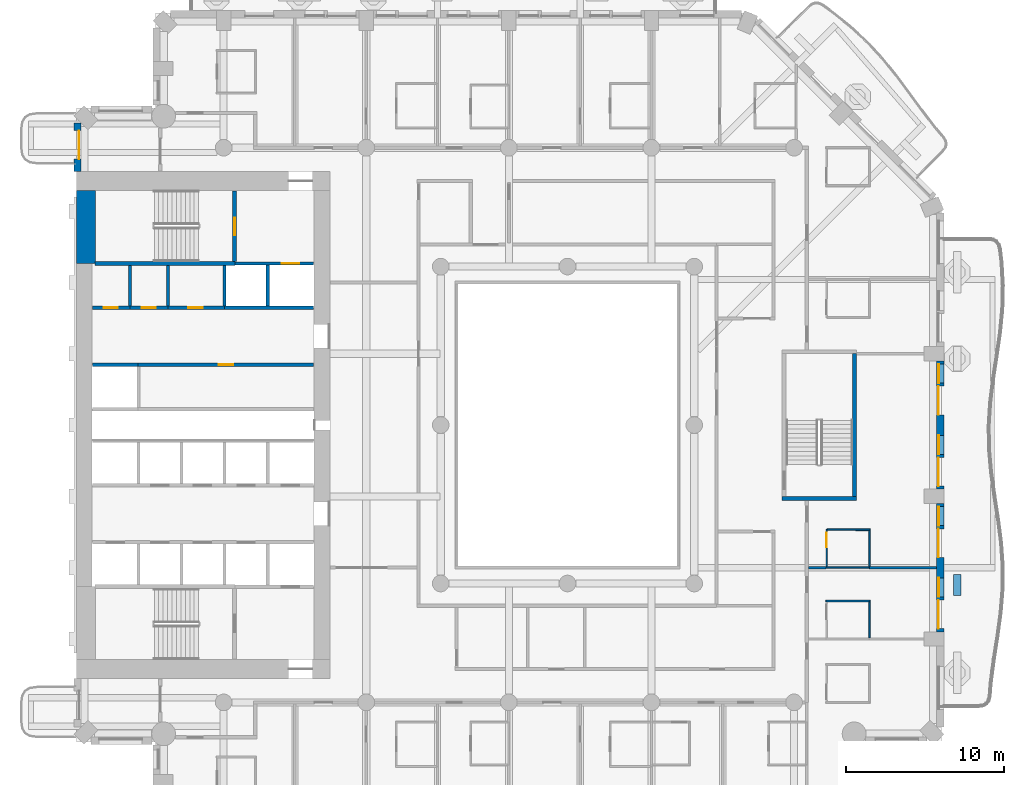
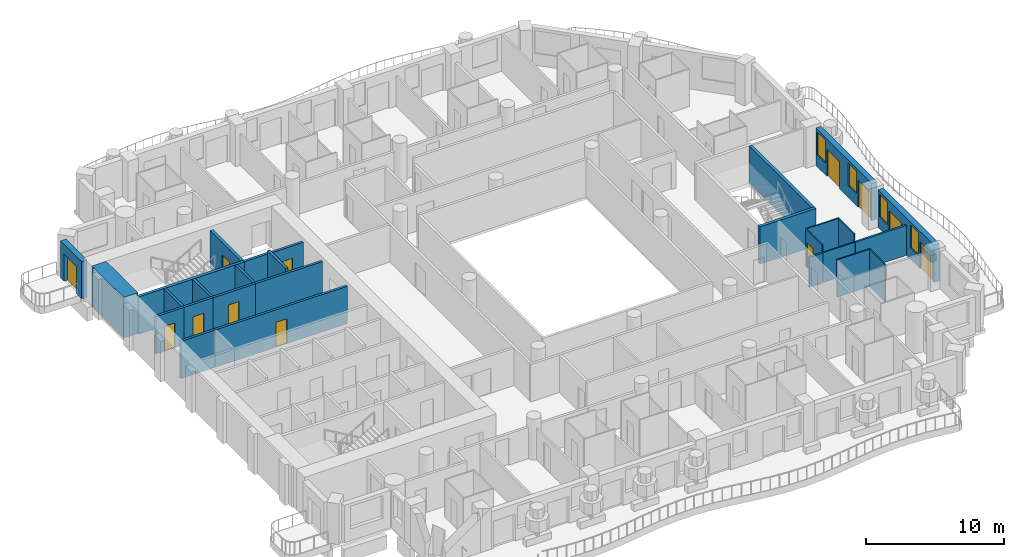
# One storey, part 7 of 20: 28 walls, 12 doors, 4 windows, 16 openings.
"""IFC4 building model written with IfcOpenShell, lengths in metres."""

from ifc_helpers import new_model, si_unit, direction, frame, frame_2d, origin, place, context, subcontext, project, spatial, rectangle, extrude, material, layer, layer_set, type_object, element, fill, save


model = new_model("IFC4")

# Units and contexts
model_context = context("Model", 3, precision=1e-05, world=origin(), true_north=direction((0.0, 1.0)))
body_context = subcontext(model_context, "Body", "Model", "MODEL_VIEW")
ifc_project = project(units=[si_unit("LENGTHUNIT", "METRE"), si_unit("AREAUNIT", "SQUARE_METRE"), si_unit("VOLUMEUNIT", "CUBIC_METRE"), si_unit("PLANEANGLEUNIT", "RADIAN"), si_unit("MASSUNIT", "GRAM", prefix="KILO")], contexts=[model_context])

# Site, building, storey
site_placement = place(None, origin())
site = spatial("IfcSite", under=ifc_project, at=site_placement, CompositionType="ELEMENT")
building_placement = place(site_placement, origin())
building = spatial("IfcBuilding", under=site, at=building_placement, Name="Cypress Arch Tower", CompositionType="ELEMENT")
storey_placement = place(building_placement, frame((0.0, 0.0, 109.5)))
storey = spatial("IfcBuildingStorey", under=building, at=storey_placement, Name="L22", CompositionType="ELEMENT", Elevation=109.5)

# Wall
ifc_material_1 = material(Name="Concrete C40/50, waterproofed", Category="concrete")
ifc_layer_1 = layer(ifc_material_1, 0.449951171875)
ifc_layer_set_1 = layer_set([ifc_layer_1], Name="Balcony planter wall PW450")
wall_type_1 = type_object("IfcWallType", Name="Balcony planter wall PW450", PredefinedType="SOLIDWALL", material=ifc_layer_set_1)
wall_1_placement = place(storey_placement, frame((25.60009765625, -10.75, 0.0), z_axis=(0.0, 0.0, 1.0), x_axis=(0.0, 1.0, 0.0)))
element("IfcWall", 1, at=wall_1_placement, inside=storey, type_object=wall_type_1, Name="Balcony planter wall L22-A06.2", PredefinedType="SOLIDWALL", context=body_context, shape_type="SweptSolid", body=[
    extrude(rectangle(XDim=1.32861328125, YDim=0.449951171875, at=frame_2d((0.664306640625, 0.0))), origin(), (0.0, 0.0, 1.0), 0.60009765625),
])

# Wall, opening, door
ifc_material_2 = material(Name="Brick (red buff blend)", Category="masonry")
ifc_layer_2 = layer(ifc_material_2, 0.449951171875)
ifc_layer_set_2 = layer_set([ifc_layer_2], Name="Brick pier and spandrel wall BW450")
wall_type_2 = type_object("IfcWallType", Name="Brick pier and spandrel wall BW450", PredefinedType="SOLIDWALL", material=ifc_layer_set_2)
wall_2_placement = place(storey_placement, frame((-29.925048828125, 19.063720703125, 0.0), z_axis=(0.0, 0.0, 1.0), x_axis=(0.0, -1.0, 0.0)))
wall_2 = element("IfcWall", 2, at=wall_2_placement, inside=storey, type_object=wall_type_2, Name="Brick wall L22 A00.0", PredefinedType="SOLIDWALL", context=body_context, shape_type="SweptSolid", body=[
    extrude(rectangle(XDim=3.063720703125, YDim=0.449951171875, at=frame_2d((1.53173828125, 0.0))), origin(), (0.0, 0.0, 1.0), 3.300048828125),
])
opening_1_placement = place(wall_2_placement, frame((0.481689453125, 0.0, 0.0)))
opening_1 = element("IfcOpeningElement", 3, at=opening_1_placement, cuts=wall_2, Name="Opening D-L22-A00.0.1", PredefinedType="OPENING", context=body_context, shape_type="SweptSolid", body=[
    extrude(rectangle(XDim=1.800048828125, YDim=2.39990234375, at=frame_2d((0.89990234375, 1.199951171875))), frame((0.0, 0.23486328125, 0.0), z_axis=(0.0, -1.0, 0.0), x_axis=(1.0, 0.0, 0.0)), (0.0, 0.0, 1.0), 0.469970703125),
])
ifc_material_3 = material(Name="Anodised aluminium, bronze finish, laminated low-emissivity double glazing, large-missile impact rated", Category="aluminium")
door_type_1 = type_object("IfcDoorType", Name="Balcony sliding door 1800x2400", OperationType="SLIDING_TO_LEFT", PredefinedType="DOOR", material=ifc_material_3)
door_1_placement = place(opening_1_placement, origin())
door_1 = element("IfcDoor", 4, at=door_1_placement, inside=storey, type_object=door_type_1, Name="Balcony door L22 A00.0.1", OperationType="SLIDING_TO_LEFT", OverallHeight=2.39990234375, OverallWidth=1.800048828125, PredefinedType="DOOR", context=body_context, shape_type="SweptSolid", body=[
    extrude(rectangle(XDim=1.800048828125, YDim=2.39990234375, at=frame_2d((0.89990234375, 1.199951171875))), frame((0.0, 0.1298828125, 0.0), z_axis=(0.0, -1.0, 0.0), x_axis=(1.0, 0.0, 0.0)), (0.0, 0.0, 1.0), 0.050048828125),
])
fill(opening_1, door_1)

# Wall, openings, doors, windows
wall_3_placement = place(storey_placement, frame((24.52490234375, -13.050048828125, 0.0), z_axis=(0.0, 0.0, 1.0), x_axis=(0.0, 1.0, 0.0)))
wall_3 = element("IfcWall", 5, at=wall_3_placement, inside=storey, type_object=wall_type_2, Name="Brick wall L22 A06.1", PredefinedType="SOLIDWALL", context=body_context, shape_type="SweptSolid", body=[
    extrude(rectangle(XDim=8.10009765625, YDim=0.449951171875, at=frame_2d((4.050048828125, 0.0))), origin(), (0.0, 0.0, 1.0), 3.300048828125),
])
opening_2_placement = place(wall_3_placement, frame((0.199951171875, 0.0, 0.0)))
opening_2 = element("IfcOpeningElement", 6, at=opening_2_placement, cuts=wall_3, Name="Opening D-L22-A06.1.1", PredefinedType="OPENING", context=body_context, shape_type="SweptSolid", body=[
    extrude(rectangle(XDim=1.800048828125, YDim=2.39990234375, at=frame_2d((0.89990234375, 1.199951171875))), frame((0.0, 0.23486328125, 0.0), z_axis=(0.0, -1.0, 0.0), x_axis=(1.0, 0.0, 0.0)), (0.0, 0.0, 1.0), 0.469970703125),
])
opening_3_placement = place(wall_3_placement, frame((2.199951171875, 0.0, 1.050048828125)))
opening_3 = element("IfcOpeningElement", 7, at=opening_3_placement, cuts=wall_3, Name="Opening W120HD", PredefinedType="OPENING", context=body_context, shape_type="SweptSolid", body=[
    extrude(rectangle(XDim=1.199951171875, YDim=2.0, at=frame_2d((0.60009765625, 1.0))), frame((0.0, 0.23486328125, 0.0), z_axis=(0.0, -1.0, 0.0), x_axis=(1.0, 0.0, 0.0)), (0.0, 0.0, 1.0), 0.469970703125),
])
opening_4_placement = place(wall_3_placement, frame((4.699951171875, 0.0, 0.0)))
opening_4 = element("IfcOpeningElement", 8, at=opening_4_placement, cuts=wall_3, Name="Opening D-L22-A06.1.2", PredefinedType="OPENING", context=body_context, shape_type="SweptSolid", body=[
    extrude(rectangle(XDim=1.800048828125, YDim=2.39990234375, at=frame_2d((0.89990234375, 1.199951171875))), frame((0.0, 0.23486328125, 0.0), z_axis=(0.0, -1.0, 0.0), x_axis=(1.0, 0.0, 0.0)), (0.0, 0.0, 1.0), 0.469970703125),
])
opening_5_placement = place(wall_3_placement, frame((6.699951171875, 0.0, 1.050048828125)))
opening_5 = element("IfcOpeningElement", 9, at=opening_5_placement, cuts=wall_3, Name="Opening W120HD", PredefinedType="OPENING", context=body_context, shape_type="SweptSolid", body=[
    extrude(rectangle(XDim=1.199951171875, YDim=2.0, at=frame_2d((0.60009765625, 1.0))), frame((0.0, 0.23486328125, 0.0), z_axis=(0.0, -1.0, 0.0), x_axis=(1.0, 0.0, 0.0)), (0.0, 0.0, 1.0), 0.469970703125),
])
door_2_placement = place(opening_2_placement, origin())
door_2 = element("IfcDoor", 10, at=door_2_placement, inside=storey, type_object=door_type_1, Name="Balcony door L22 A06.1.1", OperationType="SLIDING_TO_LEFT", OverallHeight=2.39990234375, OverallWidth=1.800048828125, PredefinedType="DOOR", context=body_context, shape_type="SweptSolid", body=[
    extrude(rectangle(XDim=1.800048828125, YDim=2.39990234375, at=frame_2d((0.89990234375, 1.199951171875))), frame((0.0, 0.1298828125, 0.0), z_axis=(0.0, -1.0, 0.0), x_axis=(1.0, 0.0, 0.0)), (0.0, 0.0, 1.0), 0.050048828125),
])
fill(opening_2, door_2)
door_3_placement = place(opening_4_placement, origin())
door_3 = element("IfcDoor", 11, at=door_3_placement, inside=storey, type_object=door_type_1, Name="Balcony door L22 A06.1.2", OperationType="SLIDING_TO_LEFT", OverallHeight=2.39990234375, OverallWidth=1.800048828125, PredefinedType="DOOR", context=body_context, shape_type="SweptSolid", body=[
    extrude(rectangle(XDim=1.800048828125, YDim=2.39990234375, at=frame_2d((0.89990234375, 1.199951171875))), frame((0.0, 0.1298828125, 0.0), z_axis=(0.0, -1.0, 0.0), x_axis=(1.0, 0.0, 0.0)), (0.0, 0.0, 1.0), 0.050048828125),
])
fill(opening_4, door_3)
ifc_material_4 = material(Name="Anodised aluminium, bronze finish, laminated low-emissivity double glazing, large-missile impact rated", Category="aluminium")
window_type = type_object("IfcWindowType", Name="Window Hotel 1200x2000 debris-rated", PartitioningType="SINGLE_PANEL", PredefinedType="WINDOW", material=ifc_material_4)
window_1_placement = place(opening_3_placement, origin())
window_1 = element("IfcWindow", 12, at=window_1_placement, inside=storey, type_object=window_type, Name="Window L22 A06.1.1", OverallHeight=2.0, OverallWidth=1.199951171875, PartitioningType="SINGLE_PANEL", PredefinedType="WINDOW", context=body_context, shape_type="SweptSolid", body=[
    extrude(rectangle(XDim=1.199951171875, YDim=2.0, at=frame_2d((0.60009765625, 1.0))), frame((0.0, 0.135009765625, 0.0), z_axis=(0.0, -1.0, 0.0), x_axis=(1.0, 0.0, 0.0)), (0.0, 0.0, 1.0), 0.06005859375),
])
fill(opening_3, window_1)
window_2_placement = place(opening_5_placement, origin())
window_2 = element("IfcWindow", 13, at=window_2_placement, inside=storey, type_object=window_type, Name="Window L22 A06.1.2", OverallHeight=2.0, OverallWidth=1.199951171875, PartitioningType="SINGLE_PANEL", PredefinedType="WINDOW", context=body_context, shape_type="SweptSolid", body=[
    extrude(rectangle(XDim=1.199951171875, YDim=2.0, at=frame_2d((0.60009765625, 1.0))), frame((0.0, 0.135009765625, 0.0), z_axis=(0.0, -1.0, 0.0), x_axis=(1.0, 0.0, 0.0)), (0.0, 0.0, 1.0), 0.06005859375),
])
fill(opening_5, window_2)

wall_4_placement = place(storey_placement, frame((24.52490234375, -4.050048828125, 0.0), z_axis=(0.0, 0.0, 1.0), x_axis=(0.0, 1.0, 0.0)))
wall_4 = element("IfcWall", 14, at=wall_4_placement, inside=storey, type_object=wall_type_2, Name="Brick wall L22 A06.2", PredefinedType="SOLIDWALL", context=body_context, shape_type="SweptSolid", body=[
    extrude(rectangle(XDim=8.10009765625, YDim=0.449951171875, at=frame_2d((4.050048828125, 0.0))), origin(), (0.0, 0.0, 1.0), 3.300048828125),
])
opening_6_placement = place(wall_4_placement, frame((0.199951171875, 0.0, 0.0)))
opening_6 = element("IfcOpeningElement", 15, at=opening_6_placement, cuts=wall_4, Name="Opening D-L22-A06.2.1", PredefinedType="OPENING", context=body_context, shape_type="SweptSolid", body=[
    extrude(rectangle(XDim=1.800048828125, YDim=2.39990234375, at=frame_2d((0.89990234375, 1.199951171875))), frame((0.0, 0.23486328125, 0.0), z_axis=(0.0, -1.0, 0.0), x_axis=(1.0, 0.0, 0.0)), (0.0, 0.0, 1.0), 0.469970703125),
])
opening_7_placement = place(wall_4_placement, frame((2.199951171875, 0.0, 1.050048828125)))
opening_7 = element("IfcOpeningElement", 16, at=opening_7_placement, cuts=wall_4, Name="Opening W120HD", PredefinedType="OPENING", context=body_context, shape_type="SweptSolid", body=[
    extrude(rectangle(XDim=1.199951171875, YDim=2.0, at=frame_2d((0.60009765625, 1.0))), frame((0.0, 0.23486328125, 0.0), z_axis=(0.0, -1.0, 0.0), x_axis=(1.0, 0.0, 0.0)), (0.0, 0.0, 1.0), 0.469970703125),
])
opening_8_placement = place(wall_4_placement, frame((4.699951171875, 0.0, 0.0)))
opening_8 = element("IfcOpeningElement", 17, at=opening_8_placement, cuts=wall_4, Name="Opening D-L22-A06.2.2", PredefinedType="OPENING", context=body_context, shape_type="SweptSolid", body=[
    extrude(rectangle(XDim=1.800048828125, YDim=2.39990234375, at=frame_2d((0.89990234375, 1.199951171875))), frame((0.0, 0.23486328125, 0.0), z_axis=(0.0, -1.0, 0.0), x_axis=(1.0, 0.0, 0.0)), (0.0, 0.0, 1.0), 0.469970703125),
])
opening_9_placement = place(wall_4_placement, frame((6.699951171875, 0.0, 1.050048828125)))
opening_9 = element("IfcOpeningElement", 18, at=opening_9_placement, cuts=wall_4, Name="Opening W120HD", PredefinedType="OPENING", context=body_context, shape_type="SweptSolid", body=[
    extrude(rectangle(XDim=1.199951171875, YDim=2.0, at=frame_2d((0.60009765625, 1.0))), frame((0.0, 0.23486328125, 0.0), z_axis=(0.0, -1.0, 0.0), x_axis=(1.0, 0.0, 0.0)), (0.0, 0.0, 1.0), 0.469970703125),
])
door_4_placement = place(opening_6_placement, origin())
door_4 = element("IfcDoor", 19, at=door_4_placement, inside=storey, type_object=door_type_1, Name="Balcony door L22 A06.2.1", OperationType="SLIDING_TO_LEFT", OverallHeight=2.39990234375, OverallWidth=1.800048828125, PredefinedType="DOOR", context=body_context, shape_type="SweptSolid", body=[
    extrude(rectangle(XDim=1.800048828125, YDim=2.39990234375, at=frame_2d((0.89990234375, 1.199951171875))), frame((0.0, 0.1298828125, 0.0), z_axis=(0.0, -1.0, 0.0), x_axis=(1.0, 0.0, 0.0)), (0.0, 0.0, 1.0), 0.050048828125),
])
fill(opening_6, door_4)
door_5_placement = place(opening_8_placement, origin())
door_5 = element("IfcDoor", 20, at=door_5_placement, inside=storey, type_object=door_type_1, Name="Balcony door L22 A06.2.2", OperationType="SLIDING_TO_LEFT", OverallHeight=2.39990234375, OverallWidth=1.800048828125, PredefinedType="DOOR", context=body_context, shape_type="SweptSolid", body=[
    extrude(rectangle(XDim=1.800048828125, YDim=2.39990234375, at=frame_2d((0.89990234375, 1.199951171875))), frame((0.0, 0.1298828125, 0.0), z_axis=(0.0, -1.0, 0.0), x_axis=(1.0, 0.0, 0.0)), (0.0, 0.0, 1.0), 0.050048828125),
])
fill(opening_8, door_5)
window_3_placement = place(opening_7_placement, origin())
window_3 = element("IfcWindow", 21, at=window_3_placement, inside=storey, type_object=window_type, Name="Window L22 A06.2.1", OverallHeight=2.0, OverallWidth=1.199951171875, PartitioningType="SINGLE_PANEL", PredefinedType="WINDOW", context=body_context, shape_type="SweptSolid", body=[
    extrude(rectangle(XDim=1.199951171875, YDim=2.0, at=frame_2d((0.60009765625, 1.0))), frame((0.0, 0.135009765625, 0.0), z_axis=(0.0, -1.0, 0.0), x_axis=(1.0, 0.0, 0.0)), (0.0, 0.0, 1.0), 0.06005859375),
])
fill(opening_7, window_3)
window_4_placement = place(opening_9_placement, origin())
window_4 = element("IfcWindow", 22, at=window_4_placement, inside=storey, type_object=window_type, Name="Window L22 A06.2.2", OverallHeight=2.0, OverallWidth=1.199951171875, PartitioningType="SINGLE_PANEL", PredefinedType="WINDOW", context=body_context, shape_type="SweptSolid", body=[
    extrude(rectangle(XDim=1.199951171875, YDim=2.0, at=frame_2d((0.60009765625, 1.0))), frame((0.0, 0.135009765625, 0.0), z_axis=(0.0, -1.0, 0.0), x_axis=(1.0, 0.0, 0.0)), (0.0, 0.0, 1.0), 0.06005859375),
])
fill(opening_9, window_4)

# Wall
ifc_material_5 = material(Name="Concrete C80/95", Category="concrete")
ifc_layer_3 = layer(ifc_material_5, 1.199951171875)
ifc_layer_set_3 = layer_set([ifc_layer_3], Name="Core wall CW1200 C80/95")
wall_type_3 = type_object("IfcWallType", Name="Core wall CW1200 C80/95", PredefinedType="SHEAR", material=ifc_layer_set_3)
wall_5_placement = place(storey_placement, frame((-29.39990234375, 10.199951171875, 0.0), z_axis=(0.0, 0.0, 1.0), x_axis=(0.0, 1.0, 0.0)))
element("IfcWall", 23, at=wall_5_placement, inside=storey, type_object=wall_type_3, Name="Core wall", PredefinedType="SHEAR", context=body_context, shape_type="SweptSolid", body=[
    extrude(rectangle(XDim=4.60009765625, YDim=1.199951171875, at=frame_2d((2.300048828125, 0.0))), origin(), (0.0, 0.0, 1.0), 3.60009765625),
])

# Wall, opening, door
ifc_material_6 = material(Name="Concrete blockwork, plastered, rated", Category="masonry")
ifc_layer_4 = layer(ifc_material_6, 0.199951171875)
ifc_layer_set_4 = layer_set([ifc_layer_4], Name="Corridor wall FW200")
wall_type_4 = type_object("IfcWallType", Name="Corridor wall FW200", PredefinedType="PARTITIONING", material=ifc_layer_set_4)
wall_6_placement = place(storey_placement, frame((-28.969970703125, 7.39990234375, 0.0), z_axis=(0.0, 0.0, 1.0), x_axis=(1.0, 0.0, 0.0)))
wall_6 = element("IfcWall", 24, at=wall_6_placement, inside=storey, type_object=wall_type_4, Name="Corridor wall", PredefinedType="PARTITIONING", context=body_context, shape_type="SweptSolid", body=[
    extrude(rectangle(XDim=2.349853515625, YDim=0.199951171875, at=frame_2d((1.1748046875, 0.0))), origin(), (0.0, 0.0, 1.0), 3.300048828125),
])
opening_10_placement = place(wall_6_placement, frame((0.699951171875, 0.0, 0.0)))
opening_10 = element("IfcOpeningElement", 25, at=opening_10_placement, cuts=wall_6, Name="Opening D05", PredefinedType="OPENING", context=body_context, shape_type="SweptSolid", body=[
    extrude(rectangle(XDim=0.89990234375, YDim=2.199951171875, at=frame_2d((0.449951171875, 1.10009765625))), frame((0.0, 0.10986328125, 0.0), z_axis=(0.0, -1.0, 0.0), x_axis=(1.0, 0.0, 0.0)), (0.0, 0.0, 1.0), 0.219970703125),
])
ifc_material_7 = material(Name="Timber flush door", Category="wood")
door_type_2 = type_object("IfcDoorType", Name="Service door D05 900x2200", OperationType="SINGLE_SWING_LEFT", PredefinedType="DOOR", material=ifc_material_7)
door_6_placement = place(opening_10_placement, origin())
door_6 = element("IfcDoor", 26, at=door_6_placement, inside=storey, type_object=door_type_2, Name="Service door", OperationType="SINGLE_SWING_RIGHT", OverallHeight=2.199951171875, OverallWidth=0.89990234375, PredefinedType="DOOR", context=body_context, shape_type="SweptSolid", body=[
    extrude(rectangle(XDim=0.89990234375, YDim=2.199951171875, at=frame_2d((0.449951171875, 1.10009765625))), frame((0.0, 0.02490234375, 0.0), z_axis=(0.0, -1.0, 0.0), x_axis=(1.0, 0.0, 0.0)), (0.0, 0.0, 1.0), 0.050048828125),
])
fill(opening_10, door_6)

wall_7_placement = place(storey_placement, frame((-26.10009765625, 3.800048828125, 0.0), z_axis=(0.0, 0.0, 1.0), x_axis=(1.0, 0.0, 0.0)))
wall_7 = element("IfcWall", 27, at=wall_7_placement, inside=storey, type_object=wall_type_4, Name="Corridor wall", PredefinedType="PARTITIONING", context=body_context, shape_type="SweptSolid", body=[
    extrude(rectangle(XDim=11.070068359375, YDim=0.199951171875, at=frame_2d((5.53515625, 0.0))), origin(), (0.0, 0.0, 1.0), 3.300048828125),
])
opening_11_placement = place(wall_7_placement, frame((5.10009765625, 0.0, 0.0)))
opening_11 = element("IfcOpeningElement", 28, at=opening_11_placement, cuts=wall_7, Name="Opening D05", PredefinedType="OPENING", context=body_context, shape_type="SweptSolid", body=[
    extrude(rectangle(XDim=0.89990234375, YDim=2.199951171875, at=frame_2d((0.449951171875, 1.10009765625))), frame((0.0, 0.10986328125, 0.0), z_axis=(0.0, -1.0, 0.0), x_axis=(1.0, 0.0, 0.0)), (0.0, 0.0, 1.0), 0.219970703125),
])
door_7_placement = place(opening_11_placement, origin())
door_7 = element("IfcDoor", 29, at=door_7_placement, inside=storey, type_object=door_type_2, Name="Service door", OperationType="SINGLE_SWING_LEFT", OverallHeight=2.199951171875, OverallWidth=0.89990234375, PredefinedType="DOOR", context=body_context, shape_type="SweptSolid", body=[
    extrude(rectangle(XDim=0.89990234375, YDim=2.199951171875, at=frame_2d((0.449951171875, 1.10009765625))), frame((0.0, 0.02490234375, 0.0), z_axis=(0.0, -1.0, 0.0), x_axis=(1.0, 0.0, 0.0)), (0.0, 0.0, 1.0), 0.050048828125),
])
fill(opening_11, door_7)

wall_8_placement = place(storey_placement, frame((-24.219970703125, 7.39990234375, 0.0), z_axis=(0.0, 0.0, 1.0), x_axis=(1.0, 0.0, 0.0)))
wall_8 = element("IfcWall", 30, at=wall_8_placement, inside=storey, type_object=wall_type_4, Name="Corridor wall", PredefinedType="PARTITIONING", context=body_context, shape_type="SweptSolid", body=[
    extrude(rectangle(XDim=3.580078125, YDim=0.199951171875, at=frame_2d((1.7900390625, 0.0))), origin(), (0.0, 0.0, 1.0), 3.300048828125),
])
opening_12_placement = place(wall_8_placement, frame((1.300048828125, 0.0, 0.0)))
opening_12 = element("IfcOpeningElement", 31, at=opening_12_placement, cuts=wall_8, Name="Opening D05", PredefinedType="OPENING", context=body_context, shape_type="SweptSolid", body=[
    extrude(rectangle(XDim=0.89990234375, YDim=2.199951171875, at=frame_2d((0.449951171875, 1.10009765625))), frame((0.0, 0.10986328125, 0.0), z_axis=(0.0, -1.0, 0.0), x_axis=(1.0, 0.0, 0.0)), (0.0, 0.0, 1.0), 0.219970703125),
])
door_8_placement = place(opening_12_placement, origin())
door_8 = element("IfcDoor", 32, at=door_8_placement, inside=storey, type_object=door_type_2, Name="Service door", OperationType="SINGLE_SWING_LEFT", OverallHeight=2.199951171875, OverallWidth=0.89990234375, PredefinedType="DOOR", context=body_context, shape_type="SweptSolid", body=[
    extrude(rectangle(XDim=0.89990234375, YDim=2.199951171875, at=frame_2d((0.449951171875, 1.10009765625))), frame((0.0, 0.02490234375, 0.0), z_axis=(0.0, -1.0, 0.0), x_axis=(1.0, 0.0, 0.0)), (0.0, 0.0, 1.0), 0.050048828125),
])
fill(opening_12, door_8)

# Walls
ifc_material_8 = material(Name="Blockwork, plastered both sides", Category="masonry")
ifc_layer_5 = layer(ifc_material_8, 0.14990234375)
ifc_layer_set_5 = layer_set([ifc_layer_5], Name="Partition PW150")
wall_type_5 = type_object("IfcWallType", Name="Partition PW150", PredefinedType="PARTITIONING", material=ifc_layer_set_5)
wall_9_placement = place(storey_placement, frame((16.199951171875, -9.0, 0.0), z_axis=(0.0, 0.0, 1.0), x_axis=(1.0, 0.0, 0.0)))
element("IfcWall", 33, at=wall_9_placement, inside=storey, type_object=wall_type_5, Name="Partition", PredefinedType="PARTITIONING", context=body_context, shape_type="SweptSolid", body=[
    extrude(rectangle(XDim=1.130126953125, YDim=0.14990234375, at=frame_2d((0.56494140625, 0.0))), origin(), (0.0, 0.0, 1.0), 2.64990234375),
])
wall_10_placement = place(storey_placement, frame((20.030029296875, -9.0, 0.0), z_axis=(0.0, 0.0, 1.0), x_axis=(1.0, 0.0, 0.0)))
element("IfcWall", 34, at=wall_10_placement, inside=storey, type_object=wall_type_5, Name="Partition", PredefinedType="PARTITIONING", context=body_context, shape_type="SweptSolid", body=[
    extrude(rectangle(XDim=4.27001953125, YDim=0.14990234375, at=frame_2d((2.135009765625, 0.0))), origin(), (0.0, 0.0, 1.0), 2.64990234375),
])

# Wall, opening, door
ifc_material_9 = material(Name="Reinforced blockwork, plastered, rated", Category="masonry")
ifc_layer_6 = layer(ifc_material_9, 0.199951171875)
ifc_layer_set_6 = layer_set([ifc_layer_6], Name="Plant and riser wall PL200")
wall_type_6 = type_object("IfcWallType", Name="Plant and riser wall PL200", PredefinedType="PARTITIONING", material=ifc_layer_set_6)
wall_11_placement = place(storey_placement, frame((-26.6201171875, 7.39990234375, 0.0), z_axis=(0.0, 0.0, 1.0), x_axis=(1.0, 0.0, 0.0)))
wall_11 = element("IfcWall", 35, at=wall_11_placement, inside=storey, type_object=wall_type_6, Name="Plant and riser wall", PredefinedType="PARTITIONING", context=body_context, shape_type="SweptSolid", body=[
    extrude(rectangle(XDim=2.400146484375, YDim=0.199951171875, at=frame_2d((1.2001953125, 0.0))), origin(), (0.0, 0.0, 1.0), 3.300048828125),
])
opening_13_placement = place(wall_11_placement, frame((0.75, 0.0, 0.0)))
opening_13 = element("IfcOpeningElement", 36, at=opening_13_placement, cuts=wall_11, Name="Opening D05", PredefinedType="OPENING", context=body_context, shape_type="SweptSolid", body=[
    extrude(rectangle(XDim=0.89990234375, YDim=2.199951171875, at=frame_2d((0.449951171875, 1.10009765625))), frame((0.0, 0.10986328125, 0.0), z_axis=(0.0, -1.0, 0.0), x_axis=(1.0, 0.0, 0.0)), (0.0, 0.0, 1.0), 0.219970703125),
])
door_9_placement = place(opening_13_placement, origin())
door_9 = element("IfcDoor", 37, at=door_9_placement, inside=storey, type_object=door_type_2, Name="Service door", OperationType="SINGLE_SWING_LEFT", OverallHeight=2.199951171875, OverallWidth=0.89990234375, PredefinedType="DOOR", context=body_context, shape_type="SweptSolid", body=[
    extrude(rectangle(XDim=0.89990234375, YDim=2.199951171875, at=frame_2d((0.449951171875, 1.10009765625))), frame((0.0, 0.02490234375, 0.0), z_axis=(0.0, -1.0, 0.0), x_axis=(1.0, 0.0, 0.0)), (0.0, 0.0, 1.0), 0.050048828125),
])
fill(opening_13, door_9)

# Walls
for number, where, z_axis, x_axis, name in (
    (38, (-26.60009765625, 7.5, 0.0), (0.0, 0.0, 1.0), (0.0, 1.0, 0.0), "Plant and riser wall"),
    (39, (-24.199951171875, 7.5, 0.0), (0.0, 0.0, 1.0), (0.0, 1.0, 0.0), "Plant and riser wall"),
):
    element("IfcWall", number, at=place(storey_placement, frame(where, z_axis=z_axis, x_axis=x_axis)), inside=storey, type_object=wall_type_6, Name=name, PredefinedType="PARTITIONING", context=body_context, shape_type="SweptSolid", body=[
        extrude(rectangle(XDim=2.574951171875, YDim=0.199951171875, at=frame_2d((1.28759765625, 0.0))), origin(), (0.0, 0.0, 1.0), 3.300048828125),
    ])
ifc_material_10 = material(Name="Concrete C50/60", Category="concrete")
ifc_layer_7 = layer(ifc_material_10, 0.199951171875)
ifc_layer_set_7 = layer_set([ifc_layer_7], Name="Shaft wall SH200")
wall_type_7 = type_object("IfcWallType", Name="Shaft wall SH200", PredefinedType="SHEAR", material=ifc_layer_set_7)
wall_12_placement = place(storey_placement, frame((-28.969970703125, 3.800048828125, 0.0), z_axis=(0.0, 0.0, 1.0), x_axis=(1.0, 0.0, 0.0)))
element("IfcWall", 40, at=wall_12_placement, inside=storey, type_object=wall_type_7, Name="Shaft wall", PredefinedType="SHEAR", context=body_context, shape_type="SweptSolid", body=[
    extrude(rectangle(XDim=2.869873046875, YDim=0.199951171875, at=frame_2d((1.43505859375, 0.0))), origin(), (0.0, 0.0, 1.0), 3.300048828125),
])
wall_13_placement = place(storey_placement, frame((-20.639892578125, 7.5, 0.0), z_axis=(0.0, 0.0, 1.0), x_axis=(0.0, 1.0, 0.0)))
element("IfcWall", 41, at=wall_13_placement, inside=storey, type_object=wall_type_7, Name="Shaft wall", PredefinedType="SHEAR", context=body_context, shape_type="SweptSolid", body=[
    extrude(rectangle(XDim=2.574951171875, YDim=0.199951171875, at=frame_2d((1.28759765625, 0.0))), origin(), (0.0, 0.0, 1.0), 3.300048828125),
])
wall_14_placement = place(storey_placement, frame((-20.639892578125, 7.39990234375, 0.0), z_axis=(0.0, 0.0, 1.0), x_axis=(1.0, 0.0, 0.0)))
element("IfcWall", 42, at=wall_14_placement, inside=storey, type_object=wall_type_7, Name="Shaft wall", PredefinedType="SHEAR", context=body_context, shape_type="SweptSolid", body=[
    extrude(rectangle(XDim=5.60986328125, YDim=0.199951171875, at=frame_2d((2.804931640625, 0.0))), origin(), (0.0, 0.0, 1.0), 3.300048828125),
])

# Wall, opening, door
wall_15_placement = place(storey_placement, frame((-19.97998046875, 10.199951171875, 0.0), z_axis=(0.0, 0.0, 1.0), x_axis=(1.0, 0.0, 0.0)))
wall_15 = element("IfcWall", 43, at=wall_15_placement, inside=storey, type_object=wall_type_7, Name="Shaft wall", PredefinedType="SHEAR", context=body_context, shape_type="SweptSolid", body=[
    extrude(rectangle(XDim=4.949951171875, YDim=0.199951171875, at=frame_2d((2.47509765625, 0.0))), origin(), (0.0, 0.0, 1.0), 3.300048828125),
])
opening_14_placement = place(wall_15_placement, frame((2.949951171875, 0.0, 0.0)))
opening_14 = element("IfcOpeningElement", 44, at=opening_14_placement, cuts=wall_15, Name="Opening LD-FL2", PredefinedType="OPENING", context=body_context, shape_type="SweptSolid", body=[
    extrude(rectangle(XDim=1.10009765625, YDim=2.199951171875, at=frame_2d((0.550048828125, 1.10009765625))), frame((0.0, 0.10986328125, 0.0), z_axis=(0.0, -1.0, 0.0), x_axis=(1.0, 0.0, 0.0)), (0.0, 0.0, 1.0), 0.219970703125),
])
ifc_material_11 = material(Name="Stainless steel centre-opening landing door, rated", Category="steel")
door_type_3 = type_object("IfcDoorType", Name="Lift landing door LD 1100x2200", OperationType="DOUBLE_DOOR_SLIDING", PredefinedType="DOOR", material=ifc_material_11)
door_10_placement = place(opening_14_placement, origin())
door_10 = element("IfcDoor", 45, at=door_10_placement, inside=storey, type_object=door_type_3, Name="Lift landing doors FL2", OperationType="DOUBLE_DOOR_SLIDING", OverallHeight=2.199951171875, OverallWidth=1.10009765625, PredefinedType="DOOR", context=body_context, shape_type="SweptSolid", body=[
    extrude(rectangle(XDim=1.10009765625, YDim=2.199951171875, at=frame_2d((0.550048828125, 1.10009765625))), frame((0.0, 0.02490234375, 0.0), z_axis=(0.0, -1.0, 0.0), x_axis=(1.0, 0.0, 0.0)), (0.0, 0.0, 1.0), 0.050048828125),
])
fill(opening_14, door_10)

# Walls
wall_16_placement = place(storey_placement, frame((-17.919921875, 7.5, 0.0), z_axis=(0.0, 0.0, 1.0), x_axis=(0.0, 1.0, 0.0)))
element("IfcWall", 46, at=wall_16_placement, inside=storey, type_object=wall_type_7, Name="Shaft wall", PredefinedType="SHEAR", context=body_context, shape_type="SweptSolid", body=[
    extrude(rectangle(XDim=2.60009765625, YDim=0.199951171875, at=frame_2d((1.300048828125, 0.0))), origin(), (0.0, 0.0, 1.0), 3.60009765625),
])
ifc_material_12 = material(Name="Concrete C50/60", Category="concrete")
ifc_layer_8 = layer(ifc_material_12, 0.25)
ifc_layer_set_8 = layer_set([ifc_layer_8], Name="Stair enclosure wall SW250")
wall_type_8 = type_object("IfcWallType", Name="Stair enclosure wall SW250", PredefinedType="SHEAR", material=ifc_layer_set_8)
wall_17_placement = place(storey_placement, frame((-28.81005859375, 10.199951171875, 0.0), z_axis=(0.0, 0.0, 1.0), x_axis=(1.0, 0.0, 0.0)))
element("IfcWall", 47, at=wall_17_placement, inside=storey, type_object=wall_type_8, Name="Stair enclosure wall", PredefinedType="SHEAR", context=body_context, shape_type="SweptSolid", body=[
    extrude(rectangle(XDim=8.830078125, YDim=0.25, at=frame_2d((4.4150390625, 0.0))), origin(), (0.0, 0.0, 1.0), 3.300048828125),
])

# Wall, opening, door
wall_18_placement = place(storey_placement, frame((-20.0, 10.324951171875, 0.0), z_axis=(0.0, 0.0, 1.0), x_axis=(0.0, 1.0, 0.0)))
wall_18 = element("IfcWall", 48, at=wall_18_placement, inside=storey, type_object=wall_type_8, Name="Stair enclosure wall", PredefinedType="SHEAR", context=body_context, shape_type="SweptSolid", body=[
    extrude(rectangle(XDim=4.445068359375, YDim=0.25, at=frame_2d((2.22265625, 0.0))), origin(), (0.0, 0.0, 1.0), 3.300048828125),
])
opening_15_placement = place(wall_18_placement, frame((1.64990234375, 0.0, 0.0)))
opening_15 = element("IfcOpeningElement", 49, at=opening_15_placement, cuts=wall_18, Name="Opening D06", PredefinedType="OPENING", context=body_context, shape_type="SweptSolid", body=[
    extrude(rectangle(XDim=1.10009765625, YDim=2.199951171875, at=frame_2d((0.550048828125, 1.10009765625))), frame((0.0, 0.135009765625, 0.0), z_axis=(0.0, -1.0, 0.0), x_axis=(1.0, 0.0, 0.0)), (0.0, 0.0, 1.0), 0.27001953125),
])
ifc_material_13 = material(Name="Steel door, fire resisting, panic bar", Category="steel")
door_type_4 = type_object("IfcDoorType", Name="Stair door D06 1100x2200", OperationType="SINGLE_SWING_LEFT", PredefinedType="DOOR", material=ifc_material_13)
door_11_placement = place(opening_15_placement, origin())
door_11 = element("IfcDoor", 50, at=door_11_placement, inside=storey, type_object=door_type_4, Name="Stair door", OperationType="SINGLE_SWING_LEFT", OverallHeight=2.199951171875, OverallWidth=1.10009765625, PredefinedType="DOOR", context=body_context, shape_type="SweptSolid", body=[
    extrude(rectangle(XDim=1.10009765625, YDim=2.199951171875, at=frame_2d((0.550048828125, 1.10009765625))), frame((0.0, 0.02490234375, 0.0), z_axis=(0.0, -1.0, 0.0), x_axis=(1.0, 0.0, 0.0)), (0.0, 0.0, 1.0), 0.050048828125),
])
fill(opening_15, door_11)

# Walls
wall_19_placement = place(storey_placement, frame((14.550048828125, -4.625, 0.0), z_axis=(0.0, 0.0, 1.0), x_axis=(1.0, 0.0, 0.0)))
element("IfcWall", 51, at=wall_19_placement, inside=storey, type_object=wall_type_8, Name="Stair enclosure wall", PredefinedType="SHEAR", context=body_context, shape_type="SweptSolid", body=[
    extrude(rectangle(XDim=4.699951171875, YDim=0.25, at=frame_2d((2.35009765625, 0.0))), origin(), (0.0, 0.0, 1.0), 3.300048828125),
])
wall_20_placement = place(storey_placement, frame((19.125, -4.5, 0.0), z_axis=(0.0, 0.0, 1.0), x_axis=(0.0, 1.0, 0.0)))
element("IfcWall", 52, at=wall_20_placement, inside=storey, type_object=wall_type_8, Name="Stair enclosure wall", PredefinedType="SHEAR", context=body_context, shape_type="SweptSolid", body=[
    extrude(rectangle(XDim=9.0, YDim=0.25, at=frame_2d((4.5, 0.0))), origin(), (0.0, 0.0, 1.0), 3.300048828125),
])
ifc_material_14 = material(Name="Moisture resistant board on steel studs, tiled", Category="steel")
ifc_layer_9 = layer(ifc_material_14, 0.10009765625)
ifc_layer_set_9 = layer_set([ifc_layer_9], Name="Wet wall PW100")
wall_type_9 = type_object("IfcWallType", Name="Wet wall PW100", PredefinedType="PARTITIONING", material=ifc_layer_set_9)
wall_21_placement = place(storey_placement, frame((17.330078125, -9.0, 0.0), z_axis=(0.0, 0.0, 1.0), x_axis=(1.0, 0.0, 0.0)))
element("IfcWall", 53, at=wall_21_placement, inside=storey, type_object=wall_type_9, Name="Wet wall", PredefinedType="PARTITIONING", context=body_context, shape_type="SweptSolid", body=[
    extrude(rectangle(XDim=2.699951171875, YDim=0.10009765625, at=frame_2d((1.35009765625, 0.0))), origin(), (0.0, 0.0, 1.0), 2.64990234375),
])
wall_22_placement = place(storey_placement, frame((17.300048828125, -11.10400390625, 0.0), z_axis=(0.0, 0.0, 1.0), x_axis=(1.0, 0.0, 0.0)))
element("IfcWall", 54, at=wall_22_placement, inside=storey, type_object=wall_type_9, Name="Wet wall", PredefinedType="PARTITIONING", context=body_context, shape_type="SweptSolid", body=[
    extrude(rectangle(XDim=2.800048828125, YDim=0.10009765625, at=frame_2d((1.39990234375, 0.0))), origin(), (0.0, 0.0, 1.0), 3.300048828125),
])

# Wall, opening, door
wall_23_placement = place(storey_placement, frame((17.35009765625, -8.949951171875, 0.0), z_axis=(0.0, 0.0, 1.0), x_axis=(0.000407580973, 0.999999916939, 0.0)))
wall_23 = element("IfcWall", 55, at=wall_23_placement, inside=storey, type_object=wall_type_9, Name="Wet wall", PredefinedType="PARTITIONING", context=body_context, shape_type="SweptSolid", body=[
    extrude(rectangle(XDim=2.39599609375, YDim=0.10009765625, at=frame_2d((1.197998046875, 0.0))), origin(), (0.0, 0.0, 1.0), 3.300048828125),
])
opening_16_placement = place(wall_23_placement, frame((1.25, 0.0, 0.0)))
opening_16 = element("IfcOpeningElement", 56, at=opening_16_placement, cuts=wall_23, Name="Opening D03", PredefinedType="OPENING", context=body_context, shape_type="SweptSolid", body=[
    extrude(rectangle(XDim=0.89990234375, YDim=2.199951171875, at=frame_2d((0.449951171875, 1.10009765625))), frame((0.0, 0.06005859375, 0.0), z_axis=(0.0, -1.0, 0.0), x_axis=(1.0, 0.0, 0.0)), (0.0, 0.0, 1.0), 0.1201171875),
])
ifc_material_15 = material(Name="Timber flush door, moisture resistant", Category="wood")
door_type_5 = type_object("IfcDoorType", Name="Bathroom door D03 900x2200", OperationType="SINGLE_SWING_LEFT", PredefinedType="DOOR", material=ifc_material_15)
door_12_placement = place(opening_16_placement, origin())
door_12 = element("IfcDoor", 57, at=door_12_placement, inside=storey, type_object=door_type_5, Name="Bathroom door", OperationType="SINGLE_SWING_LEFT", OverallHeight=2.199951171875, OverallWidth=0.89990234375, PredefinedType="DOOR", context=body_context, shape_type="SweptSolid", body=[
    extrude(rectangle(XDim=0.89990234375, YDim=2.199951171875, at=frame_2d((0.449951171875, 1.10009765625))), frame((0.0, 0.02490234375, 0.0), z_axis=(0.0, -1.0, 0.0), x_axis=(1.0, 0.0, 0.0)), (0.0, 0.0, 1.0), 0.050048828125),
])
fill(opening_16, door_12)

# Walls
wall_24_placement = place(storey_placement, frame((17.40087890625, -6.60400390625, 0.0), z_axis=(0.0, 0.0, 1.0), x_axis=(0.9999999346, -0.000361663629, 0.0)))
element("IfcWall", 58, at=wall_24_placement, inside=storey, type_object=wall_type_9, Name="Wet wall", PredefinedType="PARTITIONING", context=body_context, shape_type="SweptSolid", body=[
    extrude(rectangle(XDim=2.7001953125, YDim=0.10009765625, at=frame_2d((1.35009765625, 0.0))), origin(), (0.0, 0.0, 1.0), 3.300048828125),
])
wall_25_placement = place(storey_placement, frame((20.050048828125, -13.425048828125, 0.0), z_axis=(0.0, 0.0, 1.0), x_axis=(0.0, 1.0, 0.0)))
element("IfcWall", 59, at=wall_25_placement, inside=storey, type_object=wall_type_9, Name="Wet wall", PredefinedType="PARTITIONING", context=body_context, shape_type="SweptSolid", body=[
    extrude(rectangle(XDim=2.27099609375, YDim=0.10009765625, at=frame_2d((1.135498046875, 0.0))), origin(), (0.0, 0.0, 1.0), 3.300048828125),
])
wall_26_placement = place(storey_placement, frame((20.050048828125, -8.925048828125, 0.0), z_axis=(0.0, 0.0, 1.0), x_axis=(0.000430200003, 0.999999907464, 0.0)))
element("IfcWall", 60, at=wall_26_placement, inside=storey, type_object=wall_type_9, Name="Wet wall", PredefinedType="PARTITIONING", context=body_context, shape_type="SweptSolid", body=[
    extrude(rectangle(XDim=2.27001953125, YDim=0.10009765625, at=frame_2d((1.135009765625, 0.0))), origin(), (0.0, 0.0, 1.0), 3.300048828125),
])

save(model, "model.ifc")
